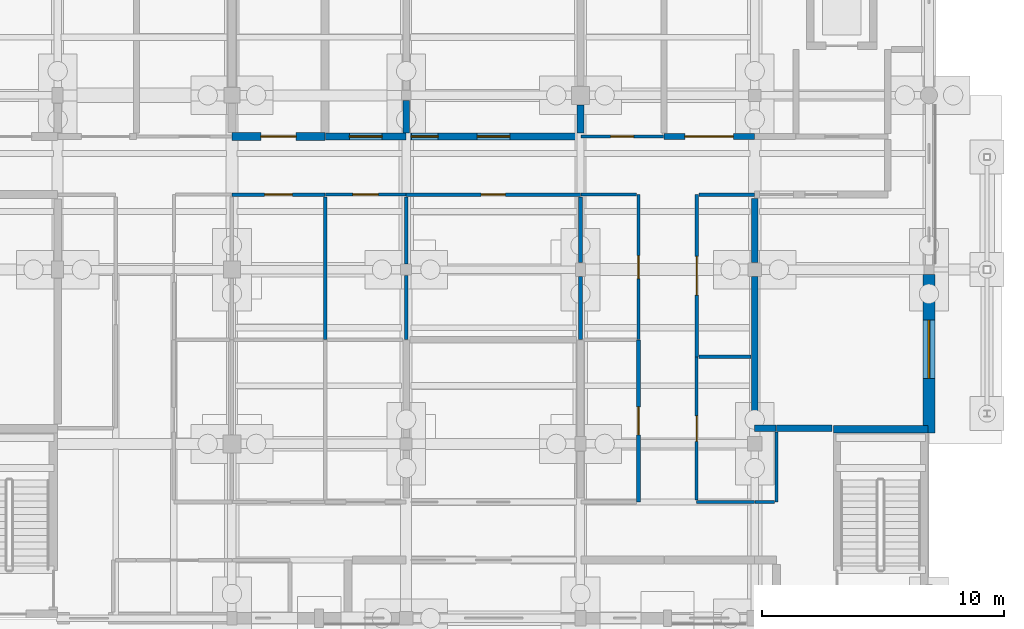
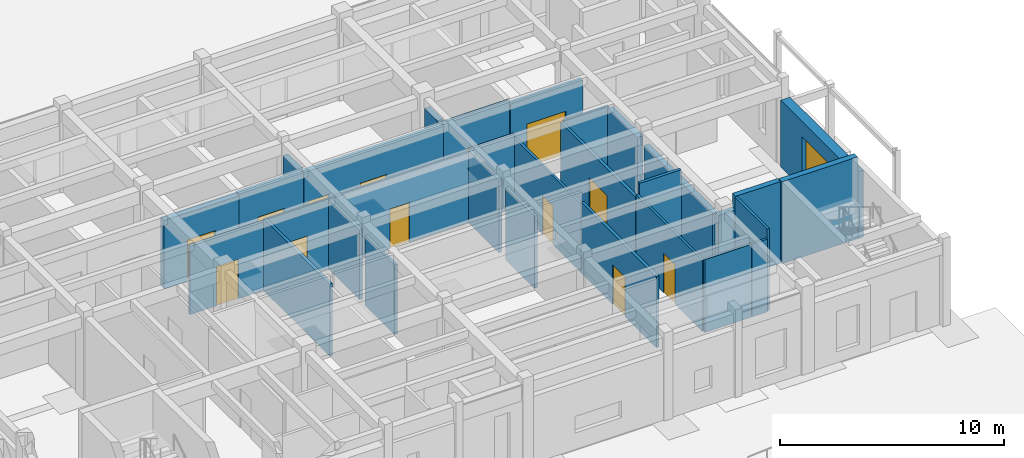
# One storey, part 118 of 143: 31 walls, 12 doors, 2 windows, 14 openings.
"""IFC4 building model written with IfcOpenShell, lengths in metres."""

from ifc_helpers import new_model, si_unit, direction, frame, frame_2d, origin, place, context, subcontext, project, spatial, rectangle, extrude, material, layer, layer_set, type_object, element, fill, save


model = new_model("IFC4")

# Units and contexts
model_context = context("Model", 3, precision=1e-05, world=origin(), true_north=direction((0.0, 1.0)))
body_context = subcontext(model_context, "Body", "Model", "MODEL_VIEW")
ifc_project = project(units=[si_unit("LENGTHUNIT", "METRE"), si_unit("AREAUNIT", "SQUARE_METRE"), si_unit("VOLUMEUNIT", "CUBIC_METRE"), si_unit("PLANEANGLEUNIT", "RADIAN"), si_unit("MASSUNIT", "GRAM", prefix="KILO")], contexts=[model_context])

# Site, building, storey
site_placement = place(None, origin())
site = spatial("IfcSite", under=ifc_project, at=site_placement, CompositionType="ELEMENT")
building_placement = place(site_placement, origin())
building = spatial("IfcBuilding", under=site, at=building_placement, Name="Steenspoor Specialist Clinic", CompositionType="ELEMENT")
storey_placement = place(building_placement, origin())
storey = spatial("IfcBuildingStorey", under=building, at=storey_placement, Name="L00", CompositionType="ELEMENT", Elevation=0.0)

# Wall, opening, window
ifc_material_1 = material(Name="Volcanic basalt ashlar masonry", Category="masonry")
ifc_layer_1 = layer(ifc_material_1, 0.47998046875)
ifc_layer_set_1 = layer_set([ifc_layer_1], Name="Volcanic basalt ashlar masonry")
wall_type_1 = type_object("IfcWallType", Name="W-BASALT-480", PredefinedType="SOLIDWALL", material=ifc_layer_set_1)
wall_1_placement = place(storey_placement, frame((161.199951171875, 27.25, 0.0), z_axis=(0.0, 0.0, 1.0), x_axis=(0.0, -1.0, 0.0)))
wall_1 = element("IfcWall", 1, at=wall_1_placement, inside=storey, type_object=wall_type_1, Name="Exterior Brick Wall EW-V2-L00-0055", PredefinedType="SOLIDWALL", context=body_context, shape_type="SweptSolid", body=[
    extrude(rectangle(XDim=6.550048828125, YDim=0.47998046875, at=frame_2d((3.27490234375, 0.0))), origin(), (0.0, 0.0, 1.0), 3.639892578125),
])
opening_1_placement = place(wall_1_placement, frame((1.889892578125, 0.0, 0.60009765625)))
opening_1 = element("IfcOpeningElement", 2, at=opening_1_placement, cuts=wall_1, Name="Opening WN-18", PredefinedType="OPENING", context=body_context, shape_type="SweptSolid", body=[
    extrude(rectangle(XDim=2.39990234375, YDim=2.199951171875, at=frame_2d((1.199951171875, 1.10009765625))), frame((0.0, 0.25, 0.0), z_axis=(0.0, -1.0, 0.0), x_axis=(1.0, 0.0, 0.0)), (0.0, 0.0, 1.0), 0.5),
])
ifc_material_2 = material(Name="Thermally broken aluminium and low-emissivity glass", Category="aluminium")
window_type_1 = type_object("IfcWindowType", Name="WN-EXT-240X220", PartitioningType="SINGLE_PANEL", PredefinedType="WINDOW", material=ifc_material_2)
window_1_placement = place(opening_1_placement, origin())
window_1 = element("IfcWindow", 3, at=window_1_placement, inside=storey, type_object=window_type_1, Name="Window 0066", OverallHeight=2.199951171875, OverallWidth=2.39990234375, PartitioningType="SINGLE_PANEL", PredefinedType="WINDOW", context=body_context, shape_type="SweptSolid", body=[
    extrude(rectangle(XDim=2.39990234375, YDim=2.199951171875, at=frame_2d((1.199951171875, 1.10009765625))), frame((0.0, 0.030029296875, 0.0), z_axis=(0.0, -1.0, 0.0), x_axis=(1.0, 0.0, 0.0)), (0.0, 0.0, 1.0), 0.06005859375),
])
fill(opening_1, window_1)

# Wall, opening, door
ifc_material_3 = material(Name="Gypsum acoustic clinical partition", Category="gypsum")
ifc_layer_2 = layer(ifc_material_3, 0.14990234375)
ifc_layer_set_2 = layer_set([ifc_layer_2], Name="Gypsum acoustic clinical partition")
wall_type_2 = type_object("IfcWallType", Name="W-CLIN-150", PredefinedType="PARTITIONING", material=ifc_layer_set_2)
wall_2_placement = place(storey_placement, frame((149.199951171875, 17.85009765625, 0.0), z_axis=(0.0, 0.0, 1.0), x_axis=(0.0, 1.0, 0.0)))
wall_2 = element("IfcWall", 4, at=wall_2_placement, inside=storey, type_object=wall_type_2, Name="Interior Partition IW-V2-L00-0193", PredefinedType="PARTITIONING", context=body_context, shape_type="SweptSolid", body=[
    extrude(rectangle(XDim=6.699951171875, YDim=0.14990234375, at=frame_2d((3.35009765625, 0.0))), origin(), (0.0, 0.0, 1.0), 3.864990234375),
])
opening_2_placement = place(wall_2_placement, frame((2.77490234375, 0.0, 0.0)))
opening_2 = element("IfcOpeningElement", 5, at=opening_2_placement, cuts=wall_2, Name="Opening D0087", PredefinedType="OPENING", context=body_context, shape_type="SweptSolid", body=[
    extrude(rectangle(XDim=1.14990234375, YDim=2.14990234375, at=frame_2d((0.574951171875, 1.074951171875))), frame((0.0, 0.0849609375, 0.0), z_axis=(0.0, -1.0, 0.0), x_axis=(1.0, 0.0, 0.0)), (0.0, 0.0, 1.0), 0.169921875),
])
ifc_material_4 = material(Name="Solid-core hardwood clinical door", Category="wood")
door_type_1 = type_object("IfcDoorType", Name="DT-CONS-115X215", OperationType="NOTDEFINED", PredefinedType="DOOR", material=ifc_material_4)
door_1_placement = place(opening_2_placement, origin())
door_1 = element("IfcDoor", 6, at=door_1_placement, inside=storey, type_object=door_type_1, Name="Clinical Door D0087", OperationType="SINGLE_SWING_RIGHT", OverallHeight=2.14990234375, OverallWidth=1.14990234375, PredefinedType="DOOR", context=body_context, shape_type="SweptSolid", body=[
    extrude(rectangle(XDim=1.14990234375, YDim=2.14990234375, at=frame_2d((0.574951171875, 1.074951171875))), frame((0.0, 0.02490234375, 0.0), z_axis=(0.0, -1.0, 0.0), x_axis=(1.0, 0.0, 0.0)), (0.0, 0.0, 1.0), 0.050048828125),
])
fill(opening_2, door_1)

wall_3_placement = place(storey_placement, frame((151.60009765625, 23.85009765625, 0.0), z_axis=(0.0, 0.0, 1.0), x_axis=(0.0, 1.0, 0.0)))
wall_3 = element("IfcWall", 7, at=wall_3_placement, inside=storey, type_object=wall_type_2, Name="Interior Partition IW-V2-L00-0198", PredefinedType="PARTITIONING", context=body_context, shape_type="SweptSolid", body=[
    extrude(rectangle(XDim=6.699951171875, YDim=0.14990234375, at=frame_2d((3.35009765625, 0.0))), origin(), (0.0, 0.0, 1.0), 3.72509765625),
])
opening_3_placement = place(wall_3_placement, frame((2.550048828125, 0.0, 0.0)))
opening_3 = element("IfcOpeningElement", 8, at=opening_3_placement, cuts=wall_3, Name="Opening D0091", PredefinedType="OPENING", context=body_context, shape_type="SweptSolid", body=[
    extrude(rectangle(XDim=1.60009765625, YDim=2.25, at=frame_2d((0.800048828125, 1.125))), frame((0.0, 0.0849609375, 0.0), z_axis=(0.0, -1.0, 0.0), x_axis=(1.0, 0.0, 0.0)), (0.0, 0.0, 1.0), 0.169921875),
])
ifc_material_5 = material(Name="Hygienic HPL clinical timber door", Category="wood")
door_type_2 = type_object("IfcDoorType", Name="DT-PROC-160X225", OperationType="NOTDEFINED", PredefinedType="DOOR", material=ifc_material_5)
door_2_placement = place(opening_3_placement, origin())
door_2 = element("IfcDoor", 9, at=door_2_placement, inside=storey, type_object=door_type_2, Name="Clinical Door D0091", OperationType="SINGLE_SWING_RIGHT", OverallHeight=2.25, OverallWidth=1.60009765625, PredefinedType="DOOR", context=body_context, shape_type="SweptSolid", body=[
    extrude(rectangle(XDim=1.60009765625, YDim=2.25, at=frame_2d((0.800048828125, 1.125))), frame((0.0, 0.02490234375, 0.0), z_axis=(0.0, -1.0, 0.0), x_axis=(1.0, 0.0, 0.0)), (0.0, 0.0, 1.0), 0.050048828125),
])
fill(opening_3, door_2)

# Wall
wall_4_placement = place(storey_placement, frame((151.68994140625, 30.550048828125, 0.0), z_axis=(0.0, 0.0, 1.0), x_axis=(1.0, 0.0, 0.0)))
element("IfcWall", 10, at=wall_4_placement, inside=storey, type_object=wall_type_2, Name="Interior Partition IW-V2-L00-0199", PredefinedType="PARTITIONING", context=body_context, shape_type="SweptSolid", body=[
    extrude(rectangle(XDim=2.295166015625, YDim=0.14990234375, at=frame_2d((1.1474609375, 0.0))), origin(), (0.0, 0.0, 1.0), 3.794921875),
])

# Wall, opening, door
wall_5_placement = place(storey_placement, frame((132.39990234375, 30.550048828125, 0.0), z_axis=(0.0, 0.0, 1.0), x_axis=(1.0, 0.0, 0.0)))
wall_5 = element("IfcWall", 11, at=wall_5_placement, inside=storey, type_object=wall_type_2, Name="Interior Partition IW-V2-L00-0200", PredefinedType="PARTITIONING", context=body_context, shape_type="SweptSolid", body=[
    extrude(rectangle(XDim=3.85009765625, YDim=0.14990234375, at=frame_2d((1.925048828125, 0.0))), origin(), (0.0, 0.0, 1.0), 3.72509765625),
])
opening_4_placement = place(wall_5_placement, frame((1.35009765625, 0.0, 0.0)))
opening_4 = element("IfcOpeningElement", 12, at=opening_4_placement, cuts=wall_5, Name="Opening D0093", PredefinedType="OPENING", context=body_context, shape_type="SweptSolid", body=[
    extrude(rectangle(XDim=1.14990234375, YDim=2.14990234375, at=frame_2d((0.574951171875, 1.074951171875))), frame((0.0, 0.0849609375, 0.0), z_axis=(0.0, -1.0, 0.0), x_axis=(1.0, 0.0, 0.0)), (0.0, 0.0, 1.0), 0.169921875),
])
door_3_placement = place(opening_4_placement, origin())
door_3 = element("IfcDoor", 13, at=door_3_placement, inside=storey, type_object=door_type_1, Name="Clinical Door D0093", OperationType="SINGLE_SWING_RIGHT", OverallHeight=2.14990234375, OverallWidth=1.14990234375, PredefinedType="DOOR", context=body_context, shape_type="SweptSolid", body=[
    extrude(rectangle(XDim=1.14990234375, YDim=2.14990234375, at=frame_2d((0.574951171875, 1.074951171875))), frame((0.0, 0.02490234375, 0.0), z_axis=(0.0, -1.0, 0.0), x_axis=(1.0, 0.0, 0.0)), (0.0, 0.0, 1.0), 0.050048828125),
])
fill(opening_4, door_3)

wall_6_placement = place(storey_placement, frame((139.60009765625, 30.550048828125, 0.0), z_axis=(0.0, 0.0, 1.0), x_axis=(1.0, 0.0, 0.0)))
wall_6 = element("IfcWall", 14, at=wall_6_placement, inside=storey, type_object=wall_type_2, Name="Interior Partition IW-V2-L00-0201", PredefinedType="PARTITIONING", context=body_context, shape_type="SweptSolid", body=[
    extrude(rectangle(XDim=7.199951171875, YDim=0.14990234375, at=frame_2d((3.60009765625, 0.0))), origin(), (0.0, 0.0, 1.0), 3.794921875),
])
opening_5_placement = place(wall_6_placement, frame((3.10009765625, 0.0, 0.0)))
opening_5 = element("IfcOpeningElement", 15, at=opening_5_placement, cuts=wall_6, Name="Opening D0095", PredefinedType="OPENING", context=body_context, shape_type="SweptSolid", body=[
    extrude(rectangle(XDim=1.0, YDim=2.14990234375, at=frame_2d((0.5, 1.074951171875))), frame((0.0, 0.0849609375, 0.0), z_axis=(0.0, -1.0, 0.0), x_axis=(1.0, 0.0, 0.0)), (0.0, 0.0, 1.0), 0.169921875),
])
ifc_material_6 = material(Name="Moisture-resistant HPL accessible WC door", Category="wood")
door_type_3 = type_object("IfcDoorType", Name="DT-AWC-100X215", OperationType="NOTDEFINED", PredefinedType="DOOR", material=ifc_material_6)
door_4_placement = place(opening_5_placement, origin())
door_4 = element("IfcDoor", 16, at=door_4_placement, inside=storey, type_object=door_type_3, Name="Clinical Door D0095", OperationType="SINGLE_SWING_RIGHT", OverallHeight=2.14990234375, OverallWidth=1.0, PredefinedType="DOOR", context=body_context, shape_type="SweptSolid", body=[
    extrude(rectangle(XDim=1.0, YDim=2.14990234375, at=frame_2d((0.5, 1.074951171875))), frame((0.0, 0.02490234375, 0.0), z_axis=(0.0, -1.0, 0.0), x_axis=(1.0, 0.0, 0.0)), (0.0, 0.0, 1.0), 0.050048828125),
])
fill(opening_5, door_4)

# Walls
wall_7_placement = place(storey_placement, frame((151.68994140625, 23.85009765625, 0.0), z_axis=(0.0, 0.0, 1.0), x_axis=(1.0, 0.0, 0.0)))
element("IfcWall", 17, at=wall_7_placement, inside=storey, type_object=wall_type_2, Name="Interior Partition IW-V2-L00-0574", PredefinedType="PARTITIONING", context=body_context, shape_type="SweptSolid", body=[
    extrude(rectangle(XDim=2.155029296875, YDim=0.14990234375, at=frame_2d((1.07763671875, 0.0))), origin(), (0.0, 0.0, 1.0), 4.4599609375),
])
wall_8_placement = place(storey_placement, frame((136.25, 24.56494140625, 0.0), z_axis=(0.0, 0.0, 1.0), x_axis=(0.0, 1.0, 0.0)))
element("IfcWall", 18, at=wall_8_placement, inside=storey, type_object=wall_type_2, Name="Interior Partition IW-V2-L00-0577", PredefinedType="PARTITIONING", context=body_context, shape_type="SweptSolid", body=[
    extrude(rectangle(XDim=5.89501953125, YDim=0.14990234375, at=frame_2d((2.947509765625, 0.0))), origin(), (0.0, 0.0, 1.0), 3.925048828125),
])
wall_9_placement = place(storey_placement, frame((139.60009765625, 24.56494140625, 0.0), z_axis=(0.0, 0.0, 1.0), x_axis=(0.0, 1.0, 0.0)))
element("IfcWall", 19, at=wall_9_placement, inside=storey, type_object=wall_type_2, Name="Interior Partition IW-V2-L00-0578", PredefinedType="PARTITIONING", context=body_context, shape_type="SweptSolid", body=[
    extrude(rectangle(XDim=2.64501953125, YDim=0.14990234375, at=frame_2d((1.322509765625, 0.0))), origin(), (0.0, 0.0, 1.0), 3.794921875),
])
wall_10_placement = place(storey_placement, frame((139.60009765625, 27.68994140625, 0.0), z_axis=(0.0, 0.0, 1.0), x_axis=(0.0, 1.0, 0.0)))
element("IfcWall", 20, at=wall_10_placement, inside=storey, type_object=wall_type_2, Name="Interior Partition IW-V2-L00-0579", PredefinedType="PARTITIONING", context=body_context, shape_type="SweptSolid", body=[
    extrude(rectangle(XDim=2.77001953125, YDim=0.14990234375, at=frame_2d((1.385009765625, 0.0))), origin(), (0.0, 0.0, 1.0), 3.794921875),
])
wall_11_placement = place(storey_placement, frame((146.800048828125, 24.56494140625, 0.0), z_axis=(0.0, 0.0, 1.0), x_axis=(0.0, 1.0, 0.0)))
element("IfcWall", 21, at=wall_11_placement, inside=storey, type_object=wall_type_2, Name="Interior Partition IW-V2-L00-0580", PredefinedType="PARTITIONING", context=body_context, shape_type="SweptSolid", body=[
    extrude(rectangle(XDim=2.594970703125, YDim=0.14990234375, at=frame_2d((1.29736328125, 0.0))), origin(), (0.0, 0.0, 1.0), 3.925048828125),
])
wall_12_placement = place(storey_placement, frame((146.800048828125, 27.739990234375, 0.0), z_axis=(0.0, 0.0, 1.0), x_axis=(0.0, 1.0, 0.0)))
element("IfcWall", 22, at=wall_12_placement, inside=storey, type_object=wall_type_2, Name="Interior Partition IW-V2-L00-0581", PredefinedType="PARTITIONING", context=body_context, shape_type="SweptSolid", body=[
    extrude(rectangle(XDim=2.719970703125, YDim=0.14990234375, at=frame_2d((1.35986328125, 0.0))), origin(), (0.0, 0.0, 1.0), 3.965087890625),
])

# Wall, opening, door
ifc_material_7 = material(Name="Acoustic and RF shielded masonry partition", Category="masonry")
ifc_layer_3 = layer(ifc_material_7, 0.320068359375)
ifc_layer_set_3 = layer_set([ifc_layer_3], Name="Acoustic and RF shielded masonry partition")
wall_type_3 = type_object("IfcWallType", Name="W-MRI-320", PredefinedType="PARTITIONING", material=ifc_layer_set_3)
wall_13_placement = place(storey_placement, frame((132.39990234375, 32.949951171875, 0.0), z_axis=(0.0, 0.0, 1.0), x_axis=(1.0, 0.0, 0.0)))
wall_13 = element("IfcWall", 23, at=wall_13_placement, inside=storey, type_object=wall_type_3, Name="Interior Partition IW-V2-L00-0055", PredefinedType="PARTITIONING", context=body_context, shape_type="SweptSolid", body=[
    extrude(rectangle(XDim=3.85009765625, YDim=0.320068359375, at=frame_2d((1.925048828125, 0.0))), origin(), (0.0, 0.0, 1.0), 3.72509765625),
])
opening_6_placement = place(wall_13_placement, frame((1.199951171875, 0.0, 0.0)))
opening_6 = element("IfcOpeningElement", 24, at=opening_6_placement, cuts=wall_13, Name="Opening D0099", PredefinedType="OPENING", context=body_context, shape_type="SweptSolid", body=[
    extrude(rectangle(XDim=1.449951171875, YDim=2.25, at=frame_2d((0.72509765625, 1.125))), frame((0.0, 0.169921875, 0.0), z_axis=(0.0, -1.0, 0.0), x_axis=(1.0, 0.0, 0.0)), (0.0, 0.0, 1.0), 0.340087890625),
])
ifc_material_8 = material(Name="Copper RF-shielded MRI door", Category="steel")
door_type_4 = type_object("IfcDoorType", Name="DT-MRI-145X225", OperationType="NOTDEFINED", PredefinedType="DOOR", material=ifc_material_8)
door_5_placement = place(opening_6_placement, origin())
door_5 = element("IfcDoor", 25, at=door_5_placement, inside=storey, type_object=door_type_4, Name="Clinical Door D0099", OperationType="SINGLE_SWING_RIGHT", OverallHeight=2.25, OverallWidth=1.449951171875, PredefinedType="DOOR", context=body_context, shape_type="SweptSolid", body=[
    extrude(rectangle(XDim=1.449951171875, YDim=2.25, at=frame_2d((0.72509765625, 1.125))), frame((0.0, 0.02490234375, 0.0), z_axis=(0.0, -1.0, 0.0), x_axis=(1.0, 0.0, 0.0)), (0.0, 0.0, 1.0), 0.050048828125),
])
fill(opening_6, door_5)

# Wall
ifc_material_9 = material(Name="Gypsum studio partition board", Category="gypsum")
ifc_layer_4 = layer(ifc_material_9, 0.1201171875)
ifc_layer_set_4 = layer_set([ifc_layer_4], Name="Gypsum studio partition board")
wall_type_4 = type_object("IfcWallType", Name="W-PART-120", PredefinedType="PARTITIONING", material=ifc_layer_set_4)
wall_14_placement = place(storey_placement, frame((151.60009765625, 17.85009765625, 0.0), z_axis=(0.0, 0.0, 1.0), x_axis=(1.0, 0.0, 0.0)))
element("IfcWall", 26, at=wall_14_placement, inside=storey, type_object=wall_type_4, Name="Interior Partition IW-V2-L00-0306", PredefinedType="PARTITIONING", context=body_context, shape_type="SweptSolid", body=[
    extrude(rectangle(XDim=2.39990234375, YDim=0.1201171875, at=frame_2d((1.199951171875, 0.0))), origin(), (0.0, 0.0, 1.0), 3.965087890625),
])

# Wall, opening, door
wall_15_placement = place(storey_placement, frame((151.60009765625, 17.925048828125, 0.0), z_axis=(0.0, 0.0, 1.0), x_axis=(0.0, 1.0, 0.0)))
wall_15 = element("IfcWall", 27, at=wall_15_placement, inside=storey, type_object=wall_type_4, Name="Interior Partition IW-V2-L00-0307", PredefinedType="PARTITIONING", context=body_context, shape_type="SweptSolid", body=[
    extrude(rectangle(XDim=5.909912109375, YDim=0.1201171875, at=frame_2d((2.955078125, 0.0))), origin(), (0.0, 0.0, 1.0), 3.864990234375),
])
opening_7_placement = place(wall_15_placement, frame((2.429931640625, 0.0, 0.0)))
opening_7 = element("IfcOpeningElement", 28, at=opening_7_placement, cuts=wall_15, Name="Opening D0088", PredefinedType="OPENING", context=body_context, shape_type="SweptSolid", body=[
    extrude(rectangle(XDim=1.050048828125, YDim=2.14990234375, at=frame_2d((0.52490234375, 1.074951171875))), frame((0.0, 0.070068359375, 0.0), z_axis=(0.0, -1.0, 0.0), x_axis=(1.0, 0.0, 0.0)), (0.0, 0.0, 1.0), 0.14013671875),
])
ifc_material_10 = material(Name="Solid-core hardwood office door", Category="wood")
door_type_5 = type_object("IfcDoorType", Name="DT-OFF-105X215", OperationType="NOTDEFINED", PredefinedType="DOOR", material=ifc_material_10)
door_6_placement = place(opening_7_placement, origin())
door_6 = element("IfcDoor", 29, at=door_6_placement, inside=storey, type_object=door_type_5, Name="Clinical Door D0088", OperationType="SINGLE_SWING_LEFT", OverallHeight=2.14990234375, OverallWidth=1.050048828125, PredefinedType="DOOR", context=body_context, shape_type="SweptSolid", body=[
    extrude(rectangle(XDim=1.050048828125, YDim=2.14990234375, at=frame_2d((0.52490234375, 1.074951171875))), frame((0.0, 0.02490234375, 0.0), z_axis=(0.0, -1.0, 0.0), x_axis=(1.0, 0.0, 0.0)), (0.0, 0.0, 1.0), 0.050048828125),
])
fill(opening_7, door_6)

# Walls
wall_16_placement = place(storey_placement, frame((154.89990234375, 17.85009765625, 0.0), z_axis=(0.0, 0.0, 1.0), x_axis=(0.0, 1.0, 0.0)))
element("IfcWall", 30, at=wall_16_placement, inside=storey, type_object=wall_type_4, Name="Interior Partition IW-V2-L00-0308", PredefinedType="PARTITIONING", context=body_context, shape_type="SweptSolid", body=[
    extrude(rectangle(XDim=2.89501953125, YDim=0.1201171875, at=frame_2d((1.447509765625, 0.0))), origin(), (0.0, 0.0, 1.0), 4.4599609375),
])
wall_17_placement = place(storey_placement, frame((154.014892578125, 17.85009765625, 0.0), z_axis=(0.0, 0.0, 1.0), x_axis=(1.0, 0.0, 0.0)))
element("IfcWall", 31, at=wall_17_placement, inside=storey, type_object=wall_type_4, Name="Interior Partition IW-V2-L00-0309", PredefinedType="PARTITIONING", context=body_context, shape_type="SweptSolid", body=[
    extrude(rectangle(XDim=0.81005859375, YDim=0.1201171875, at=frame_2d((0.405029296875, 0.0))), origin(), (0.0, 0.0, 1.0), 3.965087890625),
])

# Wall, opening, door
wall_18_placement = place(storey_placement, frame((136.264892578125, 30.550048828125, 0.0), z_axis=(0.0, 0.0, 1.0), x_axis=(1.0, 0.0, 0.0)))
wall_18 = element("IfcWall", 32, at=wall_18_placement, inside=storey, type_object=wall_type_4, Name="Interior Partition IW-V2-L00-0312", PredefinedType="PARTITIONING", context=body_context, shape_type="SweptSolid", body=[
    extrude(rectangle(XDim=3.320068359375, YDim=0.1201171875, at=frame_2d((1.66015625, 0.0))), origin(), (0.0, 0.0, 1.0), 3.794921875),
])
opening_8_placement = place(wall_18_placement, frame((1.135009765625, 0.0, 0.0)))
opening_8 = element("IfcOpeningElement", 33, at=opening_8_placement, cuts=wall_18, Name="Opening D0094", PredefinedType="OPENING", context=body_context, shape_type="SweptSolid", body=[
    extrude(rectangle(XDim=1.050048828125, YDim=2.14990234375, at=frame_2d((0.52490234375, 1.074951171875))), frame((0.0, 0.070068359375, 0.0), z_axis=(0.0, -1.0, 0.0), x_axis=(1.0, 0.0, 0.0)), (0.0, 0.0, 1.0), 0.14013671875),
])
door_7_placement = place(opening_8_placement, origin())
door_7 = element("IfcDoor", 34, at=door_7_placement, inside=storey, type_object=door_type_5, Name="Clinical Door D0094", OperationType="SINGLE_SWING_LEFT", OverallHeight=2.14990234375, OverallWidth=1.050048828125, PredefinedType="DOOR", context=body_context, shape_type="SweptSolid", body=[
    extrude(rectangle(XDim=1.050048828125, YDim=2.14990234375, at=frame_2d((0.52490234375, 1.074951171875))), frame((0.0, 0.02490234375, 0.0), z_axis=(0.0, -1.0, 0.0), x_axis=(1.0, 0.0, 0.0)), (0.0, 0.0, 1.0), 0.050048828125),
])
fill(opening_8, door_7)

wall_19_placement = place(storey_placement, frame((149.199951171875, 24.56494140625, 0.0), z_axis=(0.0, 0.0, 1.0), x_axis=(0.0, 1.0, 0.0)))
wall_19 = element("IfcWall", 35, at=wall_19_placement, inside=storey, type_object=wall_type_4, Name="Interior Partition IW-V2-L00-0313", PredefinedType="PARTITIONING", context=body_context, shape_type="SweptSolid", body=[
    extrude(rectangle(XDim=5.985107421875, YDim=0.1201171875, at=frame_2d((2.99267578125, 0.0))), origin(), (0.0, 0.0, 1.0), 3.72509765625),
])
opening_9_placement = place(wall_19_placement, frame((2.517578125, 0.0, 0.0)))
opening_9 = element("IfcOpeningElement", 36, at=opening_9_placement, cuts=wall_19, Name="Opening D0096", PredefinedType="OPENING", context=body_context, shape_type="SweptSolid", body=[
    extrude(rectangle(XDim=0.949951171875, YDim=2.10009765625, at=frame_2d((0.47509765625, 1.050048828125))), frame((0.0, 0.070068359375, 0.0), z_axis=(0.0, -1.0, 0.0), x_axis=(1.0, 0.0, 0.0)), (0.0, 0.0, 1.0), 0.14013671875),
])
ifc_material_11 = material(Name="Moisture-resistant HPL sanitary door", Category="wood")
door_type_6 = type_object("IfcDoorType", Name="DT-WC-095X210", OperationType="NOTDEFINED", PredefinedType="DOOR", material=ifc_material_11)
door_8_placement = place(opening_9_placement, origin())
door_8 = element("IfcDoor", 37, at=door_8_placement, inside=storey, type_object=door_type_6, Name="Clinical Door D0096", OperationType="SINGLE_SWING_LEFT", OverallHeight=2.10009765625, OverallWidth=0.949951171875, PredefinedType="DOOR", context=body_context, shape_type="SweptSolid", body=[
    extrude(rectangle(XDim=0.949951171875, YDim=2.10009765625, at=frame_2d((0.47509765625, 1.050048828125))), frame((0.0, 0.02490234375, 0.0), z_axis=(0.0, -1.0, 0.0), x_axis=(1.0, 0.0, 0.0)), (0.0, 0.0, 1.0), 0.050048828125),
])
fill(opening_9, door_8)

# Wall
wall_20_placement = place(storey_placement, frame((146.81494140625, 30.550048828125, 0.0), z_axis=(0.0, 0.0, 1.0), x_axis=(1.0, 0.0, 0.0)))
element("IfcWall", 38, at=wall_20_placement, inside=storey, type_object=wall_type_4, Name="Interior Partition IW-V2-L00-0314", PredefinedType="PARTITIONING", context=body_context, shape_type="SweptSolid", body=[
    extrude(rectangle(XDim=2.31005859375, YDim=0.1201171875, at=frame_2d((1.155029296875, 0.0))), origin(), (0.0, 0.0, 1.0), 3.965087890625),
])

# Wall, opening, door
wall_21_placement = place(storey_placement, frame((146.81494140625, 32.949951171875, 0.0), z_axis=(0.0, 0.0, 1.0), x_axis=(1.0, 0.0, 0.0)))
wall_21 = element("IfcWall", 39, at=wall_21_placement, inside=storey, type_object=wall_type_4, Name="Interior Partition IW-V2-L00-0316", PredefinedType="PARTITIONING", context=body_context, shape_type="SweptSolid", body=[
    extrude(rectangle(XDim=3.420166015625, YDim=0.1201171875, at=frame_2d((1.7099609375, 0.0))), origin(), (0.0, 0.0, 1.0), 3.965087890625),
])
opening_10_placement = place(wall_21_placement, frame((1.235107421875, 0.0, 0.0)))
opening_10 = element("IfcOpeningElement", 40, at=opening_10_placement, cuts=wall_21, Name="Opening D0102", PredefinedType="OPENING", context=body_context, shape_type="SweptSolid", body=[
    extrude(rectangle(XDim=0.949951171875, YDim=2.10009765625, at=frame_2d((0.47509765625, 1.050048828125))), frame((0.0, 0.070068359375, 0.0), z_axis=(0.0, -1.0, 0.0), x_axis=(1.0, 0.0, 0.0)), (0.0, 0.0, 1.0), 0.14013671875),
])
door_9_placement = place(opening_10_placement, origin())
door_9 = element("IfcDoor", 41, at=door_9_placement, inside=storey, type_object=door_type_6, Name="Clinical Door D0102", OperationType="SINGLE_SWING_LEFT", OverallHeight=2.10009765625, OverallWidth=0.949951171875, PredefinedType="DOOR", context=body_context, shape_type="SweptSolid", body=[
    extrude(rectangle(XDim=0.949951171875, YDim=2.10009765625, at=frame_2d((0.47509765625, 1.050048828125))), frame((0.0, 0.02490234375, 0.0), z_axis=(0.0, -1.0, 0.0), x_axis=(1.0, 0.0, 0.0)), (0.0, 0.0, 1.0), 0.050048828125),
])
fill(opening_10, door_9)

# Wall
ifc_material_12 = material(Name="Lead-lined radiation brick partition", Category="masonry")
ifc_layer_5 = layer(ifc_material_12, 0.280029296875)
ifc_layer_set_5 = layer_set([ifc_layer_5], Name="Lead-lined radiation brick partition")
wall_type_5 = type_object("IfcWallType", Name="W-RAD-280", PredefinedType="PARTITIONING", material=ifc_layer_set_5)
wall_22_placement = place(storey_placement, frame((154.89990234375, 20.89990234375, 0.0), z_axis=(0.0, 0.0, 1.0), x_axis=(1.0, 0.0, 0.0)))
element("IfcWall", 42, at=wall_22_placement, inside=storey, type_object=wall_type_5, Name="Interior Partition IW-V2-L00-0063", PredefinedType="PARTITIONING", context=body_context, shape_type="SweptSolid", body=[
    extrude(rectangle(XDim=2.300048828125, YDim=0.280029296875, at=frame_2d((1.14990234375, 0.0))), origin(), (0.0, 0.0, 1.0), 4.4599609375),
])

# Wall, opening, door
wall_23_placement = place(storey_placement, frame((136.264892578125, 32.949951171875, 0.0), z_axis=(0.0, 0.0, 1.0), x_axis=(1.0, 0.0, 0.0)))
wall_23 = element("IfcWall", 43, at=wall_23_placement, inside=storey, type_object=wall_type_5, Name="Interior Partition IW-V2-L00-0066", PredefinedType="PARTITIONING", context=body_context, shape_type="SweptSolid", body=[
    extrude(rectangle(XDim=3.335205078125, YDim=0.280029296875, at=frame_2d((1.66748046875, 0.0))), origin(), (0.0, 0.0, 1.0), 3.794921875),
])
opening_11_placement = place(wall_23_placement, frame((0.992431640625, 0.0, 0.0)))
opening_11 = element("IfcOpeningElement", 44, at=opening_11_placement, cuts=wall_23, Name="Opening D0100", PredefinedType="OPENING", context=body_context, shape_type="SweptSolid", body=[
    extrude(rectangle(XDim=1.35009765625, YDim=2.199951171875, at=frame_2d((0.675048828125, 1.10009765625))), frame((0.0, 0.14990234375, 0.0), z_axis=(0.0, -1.0, 0.0), x_axis=(1.0, 0.0, 0.0)), (0.0, 0.0, 1.0), 0.300048828125),
])
ifc_material_13 = material(Name="Lead-lined radiation clinical door", Category="steel")
door_type_7 = type_object("IfcDoorType", Name="DT-RAD-135X220", OperationType="NOTDEFINED", PredefinedType="DOOR", material=ifc_material_13)
door_10_placement = place(opening_11_placement, origin())
door_10 = element("IfcDoor", 45, at=door_10_placement, inside=storey, type_object=door_type_7, Name="Clinical Door D0100", OperationType="SINGLE_SWING_LEFT", OverallHeight=2.199951171875, OverallWidth=1.35009765625, PredefinedType="DOOR", context=body_context, shape_type="SweptSolid", body=[
    extrude(rectangle(XDim=1.35009765625, YDim=2.199951171875, at=frame_2d((0.675048828125, 1.10009765625))), frame((0.0, 0.02490234375, 0.0), z_axis=(0.0, -1.0, 0.0), x_axis=(1.0, 0.0, 0.0)), (0.0, 0.0, 1.0), 0.050048828125),
])
fill(opening_11, door_10)

# Wall, openings, door, window
wall_24_placement = place(storey_placement, frame((139.614990234375, 32.949951171875, 0.0), z_axis=(0.0, 0.0, 1.0), x_axis=(1.0, 0.0, 0.0)))
wall_24 = element("IfcWall", 46, at=wall_24_placement, inside=storey, type_object=wall_type_5, Name="Interior Partition IW-V2-L00-0067", PredefinedType="PARTITIONING", context=body_context, shape_type="SweptSolid", body=[
    extrude(rectangle(XDim=7.18505859375, YDim=0.280029296875, at=frame_2d((3.592529296875, 0.0))), origin(), (0.0, 0.0, 1.0), 3.794921875),
])
opening_12_placement = place(wall_24_placement, frame((2.91748046875, 0.0, 0.0)))
opening_12 = element("IfcOpeningElement", 47, at=opening_12_placement, cuts=wall_24, Name="Opening D0101", PredefinedType="OPENING", context=body_context, shape_type="SweptSolid", body=[
    extrude(rectangle(XDim=1.35009765625, YDim=2.199951171875, at=frame_2d((0.675048828125, 1.10009765625))), frame((0.0, 0.14990234375, 0.0), z_axis=(0.0, -1.0, 0.0), x_axis=(1.0, 0.0, 0.0)), (0.0, 0.0, 1.0), 0.300048828125),
])
opening_13_placement = place(wall_24_placement, frame((0.199951171875, 0.0, 1.050048828125)))
opening_13 = element("IfcOpeningElement", 48, at=opening_13_placement, cuts=wall_24, Name="Opening IWN-02", PredefinedType="OPENING", context=body_context, shape_type="SweptSolid", body=[
    extrude(rectangle(XDim=1.10009765625, YDim=1.10009765625, at=frame_2d((0.550048828125, 0.550048828125))), frame((0.0, 0.14990234375, 0.0), z_axis=(0.0, -1.0, 0.0), x_axis=(1.0, 0.0, 0.0)), (0.0, 0.0, 1.0), 0.300048828125),
])
door_11_placement = place(opening_12_placement, origin())
door_11 = element("IfcDoor", 49, at=door_11_placement, inside=storey, type_object=door_type_7, Name="Clinical Door D0101", OperationType="SINGLE_SWING_RIGHT", OverallHeight=2.199951171875, OverallWidth=1.35009765625, PredefinedType="DOOR", context=body_context, shape_type="SweptSolid", body=[
    extrude(rectangle(XDim=1.35009765625, YDim=2.199951171875, at=frame_2d((0.675048828125, 1.10009765625))), frame((0.0, 0.02490234375, 0.0), z_axis=(0.0, -1.0, 0.0), x_axis=(1.0, 0.0, 0.0)), (0.0, 0.0, 1.0), 0.050048828125),
])
fill(opening_12, door_11)
window_type_2 = type_object("IfcWindowType", Name="IWND-OBS-110X110", PartitioningType="SINGLE_PANEL", PredefinedType="WINDOW", material=ifc_material_2)
window_2_placement = place(opening_13_placement, origin())
window_2 = element("IfcWindow", 50, at=window_2_placement, inside=storey, type_object=window_type_2, Name="Observation Window 004", OverallHeight=1.10009765625, OverallWidth=1.10009765625, PartitioningType="SINGLE_PANEL", PredefinedType="WINDOW", context=body_context, shape_type="SweptSolid", body=[
    extrude(rectangle(XDim=1.10009765625, YDim=1.10009765625, at=frame_2d((0.550048828125, 0.550048828125))), frame((0.0, 0.030029296875, 0.0), z_axis=(0.0, -1.0, 0.0), x_axis=(1.0, 0.0, 0.0)), (0.0, 0.0, 1.0), 0.06005859375),
])
fill(opening_13, window_2)

# Walls
wall_25_placement = place(storey_placement, frame((154.0, 20.89990234375, 0.0), z_axis=(0.0, 0.0, 1.0), x_axis=(1.0, 0.0, 0.0)))
element("IfcWall", 51, at=wall_25_placement, inside=storey, type_object=wall_type_5, Name="Interior Partition IW-V2-L00-0427", PredefinedType="PARTITIONING", context=body_context, shape_type="SweptSolid", body=[
    extrude(rectangle(XDim=0.885009765625, YDim=0.280029296875, at=frame_2d((0.4423828125, 0.0))), origin(), (0.0, 0.0, 1.0), 3.72509765625),
])
wall_26_placement = place(storey_placement, frame((154.0, 21.054931640625, 0.0), z_axis=(0.0, 0.0, 1.0), x_axis=(0.0, 1.0, 0.0)))
element("IfcWall", 52, at=wall_26_placement, inside=storey, type_object=wall_type_5, Name="Interior Partition IW-V2-L00-0428", PredefinedType="PARTITIONING", context=body_context, shape_type="SweptSolid", body=[
    extrude(rectangle(XDim=6.10498046875, YDim=0.280029296875, at=frame_2d((3.052490234375, 0.0))), origin(), (0.0, 0.0, 1.0), 3.72509765625),
])
wall_27_placement = place(storey_placement, frame((154.0, 27.739990234375, 0.0), z_axis=(0.0, 0.0, 1.0), x_axis=(0.0, 1.0, 0.0)))
element("IfcWall", 53, at=wall_27_placement, inside=storey, type_object=wall_type_5, Name="Interior Partition IW-V2-L00-0429", PredefinedType="PARTITIONING", context=body_context, shape_type="SweptSolid", body=[
    extrude(rectangle(XDim=2.655029296875, YDim=0.280029296875, at=frame_2d((1.32763671875, 0.0))), origin(), (0.0, 0.0, 1.0), 3.794921875),
])
wall_28_placement = place(storey_placement, frame((139.60009765625, 33.10498046875, 0.0), z_axis=(0.0, 0.0, 1.0), x_axis=(0.0, 1.0, 0.0)))
element("IfcWall", 54, at=wall_28_placement, inside=storey, type_object=wall_type_5, Name="Interior Partition IW-V2-L00-0430", PredefinedType="PARTITIONING", context=body_context, shape_type="SweptSolid", body=[
    extrude(rectangle(XDim=1.330078125, YDim=0.280029296875, at=frame_2d((0.6650390625, 0.0))), origin(), (0.0, 0.0, 1.0), 3.794921875),
])
wall_29_placement = place(storey_placement, frame((146.800048828125, 33.10498046875, 0.0), z_axis=(0.0, 0.0, 1.0), x_axis=(0.0, 1.0, 0.0)))
element("IfcWall", 55, at=wall_29_placement, inside=storey, type_object=wall_type_5, Name="Interior Partition IW-V2-L00-0432", PredefinedType="PARTITIONING", context=body_context, shape_type="SweptSolid", body=[
    extrude(rectangle(XDim=1.155029296875, YDim=0.280029296875, at=frame_2d((0.57763671875, 0.0))), origin(), (0.0, 0.0, 1.0), 3.965087890625),
])

# Wall, opening, door
ifc_material_14 = material(Name="Fire-rated clay blockwork masonry", Category="masonry")
ifc_layer_6 = layer(ifc_material_14, 0.25)
ifc_layer_set_6 = layer_set([ifc_layer_6], Name="Fire-rated clay blockwork masonry")
wall_type_6 = type_object("IfcWallType", Name="W-SHAFT-250", PredefinedType="PARTITIONING", material=ifc_layer_set_6)
wall_30_placement = place(storey_placement, frame((150.25, 32.949951171875, 0.0), z_axis=(0.0, 0.0, 1.0), x_axis=(1.0, 0.0, 0.0)))
wall_30 = element("IfcWall", 56, at=wall_30_placement, inside=storey, type_object=wall_type_6, Name="Interior Partition IW-V2-L00-0059", PredefinedType="PARTITIONING", context=body_context, shape_type="SweptSolid", body=[
    extrude(rectangle(XDim=3.735107421875, YDim=0.25, at=frame_2d((1.86767578125, 0.0))), origin(), (0.0, 0.0, 1.0), 3.794921875),
])
opening_14_placement = place(wall_30_placement, frame((0.867431640625, 0.0, 0.0)))
opening_14 = element("IfcOpeningElement", 57, at=opening_14_placement, cuts=wall_30, Name="Opening D0103", PredefinedType="OPENING", context=body_context, shape_type="SweptSolid", body=[
    extrude(rectangle(XDim=2.0, YDim=2.39990234375, at=frame_2d((1.0, 1.199951171875))), frame((0.0, 0.135009765625, 0.0), z_axis=(0.0, -1.0, 0.0), x_axis=(1.0, 0.0, 0.0)), (0.0, 0.0, 1.0), 0.27001953125),
])
ifc_material_15 = material(Name="Fire-rated louvred steel plant door", Category="steel")
door_type_8 = type_object("IfcDoorType", Name="DT-PLANT-200X240", OperationType="NOTDEFINED", PredefinedType="DOOR", material=ifc_material_15)
door_12_placement = place(opening_14_placement, origin())
door_12 = element("IfcDoor", 58, at=door_12_placement, inside=storey, type_object=door_type_8, Name="Clinical Door D0103", OperationType="DOUBLE_DOOR_SINGLE_SWING", OverallHeight=2.39990234375, OverallWidth=2.0, PredefinedType="DOOR", context=body_context, shape_type="SweptSolid", body=[
    extrude(rectangle(XDim=2.0, YDim=2.39990234375, at=frame_2d((1.0, 1.199951171875))), frame((0.0, 0.02490234375, 0.0), z_axis=(0.0, -1.0, 0.0), x_axis=(1.0, 0.0, 0.0)), (0.0, 0.0, 1.0), 0.050048828125),
])
fill(opening_14, door_12)

# Wall
ifc_material_16 = material(Name="Concrete C40/50", Category="concrete")
ifc_layer_7 = layer(ifc_material_16, 0.300048828125)
ifc_layer_set_7 = layer_set([ifc_layer_7], Name="Concrete C40/50")
wall_type_7 = type_object("IfcWallType", Name="W-SW-300", PredefinedType="SHEAR", material=ifc_layer_set_7)
wall_31_placement = place(storey_placement, frame((157.25, 20.85009765625, 0.0), z_axis=(0.0, 0.0, 1.0), x_axis=(1.0, 0.0, 0.0)))
element("IfcWall", 59, at=wall_31_placement, inside=storey, type_object=wall_type_7, Name="Core Shear Wall SW-ST-V2B-L00-N", PredefinedType="SHEAR", context=body_context, shape_type="SweptSolid", body=[
    extrude(rectangle(XDim=3.89990234375, YDim=0.300048828125, at=frame_2d((1.949951171875, 0.0))), origin(), (0.0, 0.0, 1.0), 4.4599609375),
])

save(model, "model.ifc")
